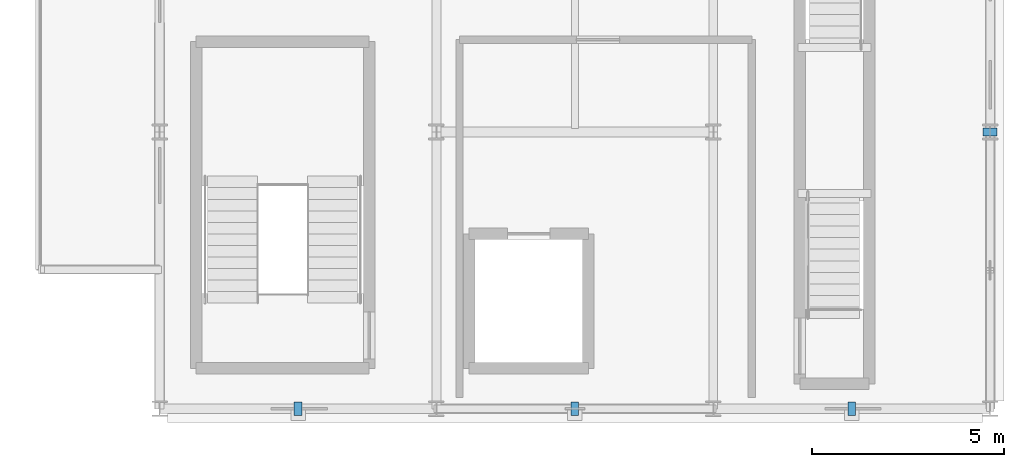
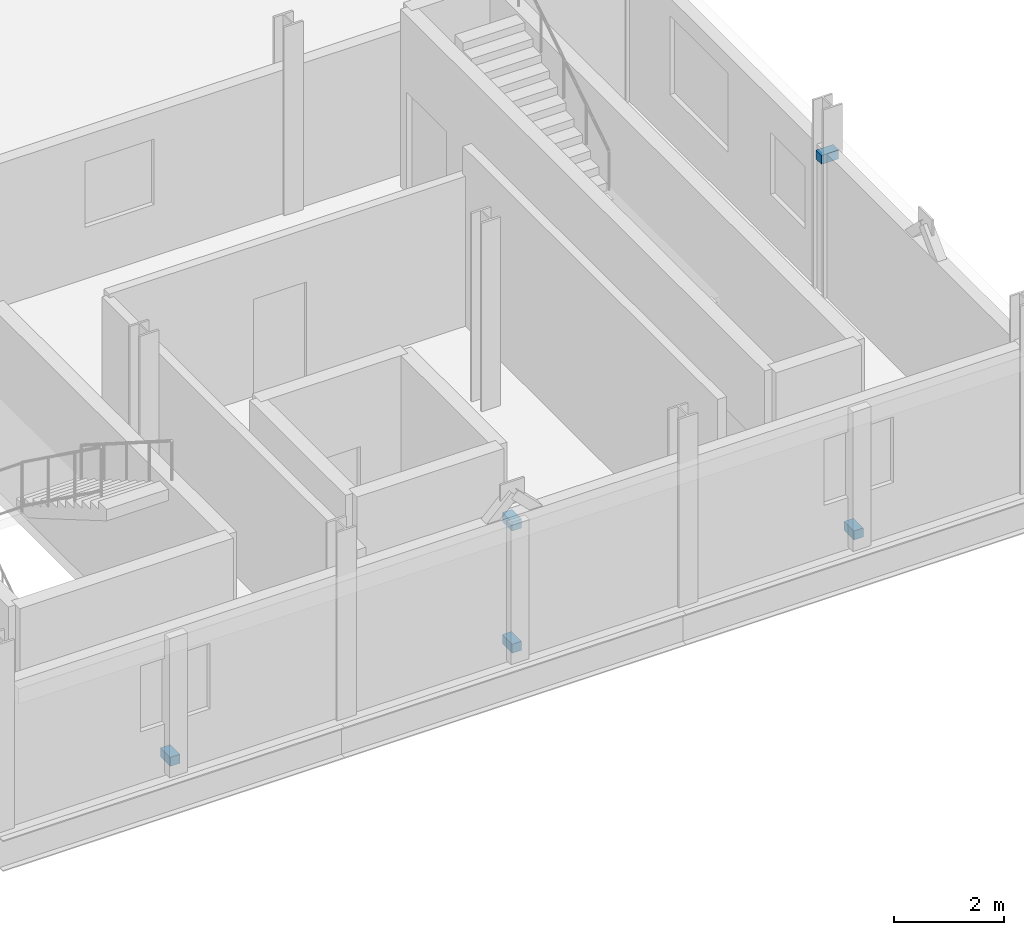
# One storey, part 124 of 144: 5 discrete accessories.
"""IFC4 building model written with IfcOpenShell, lengths in metres."""

from ifc_helpers import new_model, si_unit, direction, frame, origin, origin_2d, place, context, subcontext, project, spatial, rectangle, extrude, material, type_object, element, save


model = new_model("IFC4")

# Units and contexts
model_context = context("Model", 3, precision=1e-05, world=origin(), true_north=direction((0.0, 1.0)))
body_context = subcontext(model_context, "Body", "Model", "MODEL_VIEW")
ifc_project = project(units=[si_unit("LENGTHUNIT", "METRE"), si_unit("AREAUNIT", "SQUARE_METRE"), si_unit("VOLUMEUNIT", "CUBIC_METRE"), si_unit("PLANEANGLEUNIT", "RADIAN"), si_unit("MASSUNIT", "GRAM", prefix="KILO")], contexts=[model_context])

# Site, building, storey
site_placement = place(None, origin())
site = spatial("IfcSite", under=ifc_project, at=site_placement, CompositionType="ELEMENT")
building_placement = place(site_placement, origin())
building = spatial("IfcBuilding", under=site, at=building_placement, Name="Yarey Park Central Fire Station", CompositionType="ELEMENT")
storey_placement = place(building_placement, frame((0.0, 0.0, 10.199951171875)))
storey = spatial("IfcBuildingStorey", under=building, at=storey_placement, Name="L03", CompositionType="ELEMENT", Elevation=10.199951171875)

# Discrete accessories
ifc_material = material(Name="Stainless Steel AISI 316L", Category="steel")
discrete_accessory_type = type_object("IfcDiscreteAccessoryType", Name="ENV_BRK_SS1", PredefinedType="BRACKET", material=ifc_material)
discrete_accessory_placement = place(storey_placement, frame((165.60009765625, 7.199951171875, 2.919921875), z_axis=(0.0, 0.0, 1.0), x_axis=(1.0, 0.0, 0.0)))
element("IfcDiscreteAccessory", 1, at=discrete_accessory_placement, inside=storey, type_object=discrete_accessory_type, Name="BRK_FIN_L03_DTE_HOOD", PredefinedType="BRACKET", context=body_context, shape_type="SweptSolid", body=[
    extrude(rectangle(XDim=0.360107421875, YDim=0.199951171875, at=origin_2d()), origin(), (0.0, 0.0, 1.0), 0.199951171875),
])
for number, where, z_axis, x_axis, name in (
    (2, (154.800048828125, 0.0, 2.919921875), (0.0, 0.0, 1.0), (1.0, 0.0, 0.0), "BRK_FIN_L03_DTS_HOOD"),
    (3, (147.60009765625, 0.0, 0.2001953125), (0.0, 0.0, 1.0), (1.0, 0.0, 0.0), "BRK_FIN_L03_DTS_PIL_1"),
    (4, (154.800048828125, 0.0, 0.2001953125), (0.0, 0.0, 1.0), (1.0, 0.0, 0.0), "BRK_FIN_L03_DTS_PIL_2"),
    (5, (162.0, 0.0, 0.2001953125), (0.0, 0.0, 1.0), (1.0, 0.0, 0.0), "BRK_FIN_L03_DTS_PIL_3"),
):
    element("IfcDiscreteAccessory", number, at=place(storey_placement, frame(where, z_axis=z_axis, x_axis=x_axis)), inside=storey, type_object=discrete_accessory_type, Name=name, PredefinedType="BRACKET", context=body_context, shape_type="SweptSolid", body=[
        extrude(rectangle(XDim=0.199951171875, YDim=0.360107421875, at=origin_2d()), origin(), (0.0, 0.0, 1.0), 0.199951171875),
    ])

save(model, "model.ifc")
